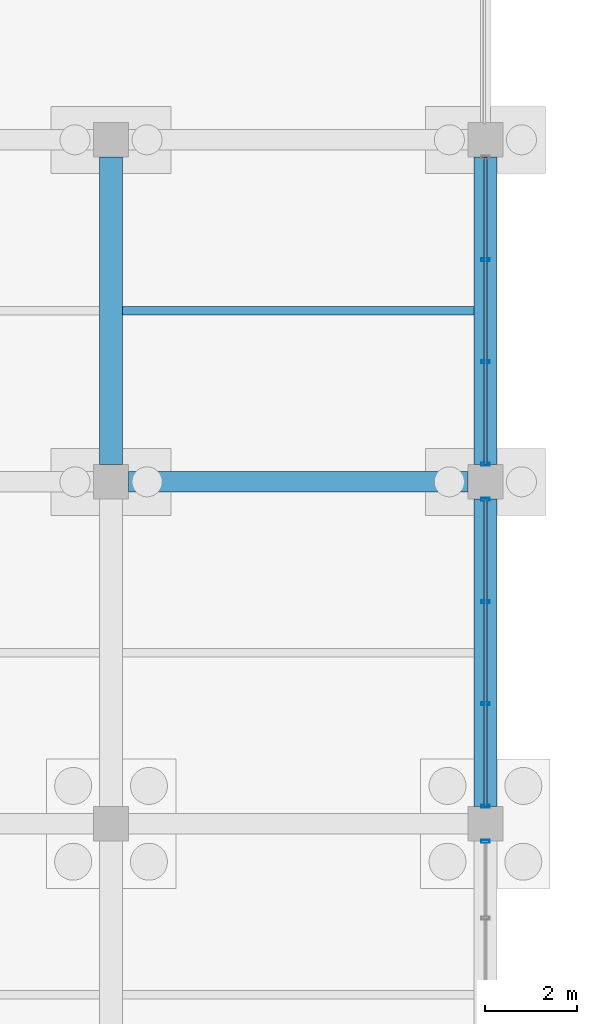
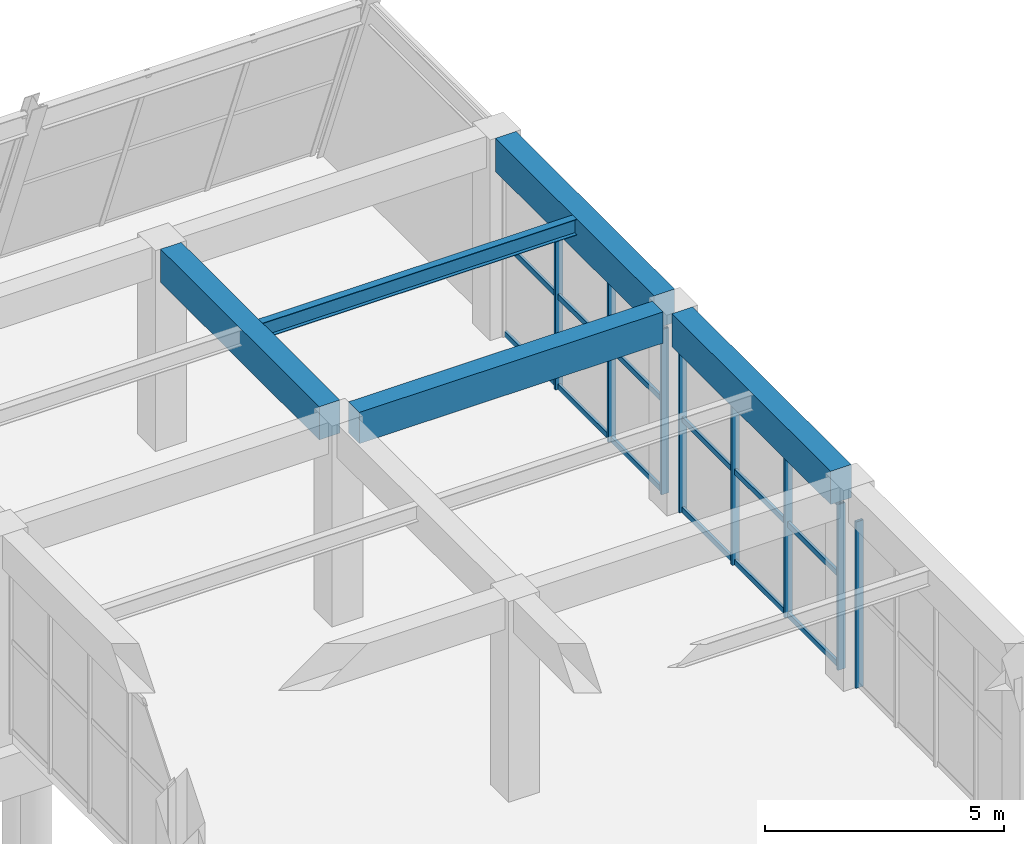
# One storey, part 68 of 140: 14 members, 5 beams, 3 elements without a shape of their own.
"""IFC4 building model written with IfcOpenShell, lengths in metres."""

from ifc_helpers import new_model, si_unit, direction, frame, origin, origin_2d, place, context, subcontext, project, spatial, rectangle, hollow_rectangle, i_section, extrude, material, material_profile, profile_set, type_object, element, aggregate, save


model = new_model("IFC4")

# Units and contexts
model_context = context("Model", 3, precision=1e-05, world=origin(), true_north=direction((0.0, 1.0)))
body_context = subcontext(model_context, "Body", "Model", "MODEL_VIEW")
ifc_project = project(units=[si_unit("LENGTHUNIT", "METRE"), si_unit("AREAUNIT", "SQUARE_METRE"), si_unit("VOLUMEUNIT", "CUBIC_METRE"), si_unit("PLANEANGLEUNIT", "RADIAN"), si_unit("MASSUNIT", "GRAM", prefix="KILO")], contexts=[model_context])

# Site, building, storey
site_placement = place(None, origin())
site = spatial("IfcSite", under=ifc_project, at=site_placement, CompositionType="ELEMENT")
building_placement = place(site_placement, origin())
building = spatial("IfcBuilding", under=site, at=building_placement, Name="Cimatlan Art Gallery", CompositionType="ELEMENT")
storey_placement = place(building_placement, origin())
storey = spatial("IfcBuildingStorey", under=building, at=storey_placement, Name="L00", CompositionType="ELEMENT", Elevation=0.0)

# Beams
ifc_material_1 = material(Name="Concrete C40/50", Category="concrete")
ifc_material_profile_1 = material_profile(ifc_material_1, rectangle(XDim=0.449951171875, YDim=0.800048828125, at=origin_2d()), Name="RC450X800")
ifc_profile_set_1 = profile_set([ifc_material_profile_1], Name="Concrete C40/50")
beam_type_1 = type_object("IfcBeamType", Name="BM-RC-450X800", PredefinedType="BEAM", material=ifc_profile_set_1)
beam_1_placement = place(storey_placement, frame((42.875, 90.5, 4.735107421875), z_axis=(1.0, 0.0, 0.0), x_axis=(0.0, 1.0, 0.0)))
element("IfcBeam", 1, at=beam_1_placement, inside=storey, type_object=beam_type_1, Name="BM-X-L00-05-12", PredefinedType="BEAM", context=body_context, shape_type="SweptSolid", body=[
    extrude(rectangle(XDim=0.449951171875, YDim=0.800048828125, at=origin_2d()), origin(), (0.0, 0.0, 1.0), 7.35009765625),
])
ifc_material_profile_2 = material_profile(ifc_material_1, rectangle(XDim=0.5, YDim=0.85009765625, at=origin_2d()), Name="RC500X850")
ifc_profile_set_2 = profile_set([ifc_material_profile_2], Name="Concrete C40/50")
beam_type_2 = type_object("IfcBeamType", Name="BM-RC-500X850", PredefinedType="BEAM", material=ifc_profile_set_2)
for number, where, z_axis, x_axis, name in (
    (2, (42.5, 90.875, 4.7099609375), (0.0, 1.0, 0.0), (-1.0, 0.0, 0.0), "BM-Y-L00-05-12"),
    (3, (50.60009765625, 83.47509765625, 4.7099609375), (0.0, 1.0, 0.0), (-1.0, 0.0, 0.0), "BM-Y-L00-06-11"),
    (4, (50.60009765625, 90.875, 4.7099609375), (0.0, 1.0, 0.0), (-1.0, 0.0, 0.0), "BM-Y-L00-06-12"),
):
    element("IfcBeam", number, at=place(storey_placement, frame(where, z_axis=z_axis, x_axis=x_axis)), inside=storey, type_object=beam_type_2, Name=name, PredefinedType="BEAM", context=body_context, shape_type="SweptSolid", body=[
        extrude(rectangle(XDim=0.5, YDim=0.85009765625, at=origin_2d()), origin(), (0.0, 0.0, 1.0), 6.64990234375),
    ])
ifc_material_2 = material(Name="Steel ASTM A992 Grade 50", Category="steel")
ifc_material_profile_3 = material_profile(ifc_material_2, i_section(OverallWidth=0.177978515625, OverallDepth=0.406982421875, WebThickness=0.0078125, FlangeThickness=0.0126953125, at=origin_2d()), Name="W16X40")
ifc_profile_set_3 = profile_set([ifc_material_profile_3], Name="Steel ASTM A992 Grade 50")
beam_type_3 = type_object("IfcBeamType", Name="BM-STL-W16X40", PredefinedType="JOIST", material=ifc_profile_set_3)
beam_2_placement = place(storey_placement, frame((42.75, 94.199951171875, 4.931396484375), z_axis=(1.0, 0.0, 0.0), x_axis=(0.0, 1.0, 0.0)))
element("IfcBeam", 5, at=beam_2_placement, inside=storey, type_object=beam_type_3, Name="JST-L00-05-12", PredefinedType="JOIST", context=body_context, shape_type="SweptSolid", body=[
    extrude(i_section(OverallWidth=0.177978515625, OverallDepth=0.406982421875, WebThickness=0.0078125, FlangeThickness=0.0126953125, at=origin_2d()), origin(), (0.0, 0.0, 1.0), 7.60009765625),
])

# Curtain wall, member
ifc_material_3 = material(Name="Anodised bronze unitised curtain wall")
curtain_wall_type_1 = type_object("IfcCurtainWallType", Name="CW-V-06642X04255-B4", PredefinedType="NOTDEFINED", material=ifc_material_3)
curtain_wall_1_placement = place(storey_placement, origin())
curtain_wall_1 = element("IfcCurtainWall", 6, at=curtain_wall_1_placement, inside=storey, type_object=curtain_wall_type_1, Name="CW-L00-05-10-E", PredefinedType="NOTDEFINED")
ifc_material_4 = material(Name="Anodised bronze aluminium 6063-T6", Category="aluminium")
ifc_material_profile_4 = material_profile(ifc_material_4, hollow_rectangle(XDim=0.06494140625, YDim=0.179931640625, WallThickness=0.00390625, at=origin_2d()), Name="ALU65X180X4")
ifc_profile_set_4 = profile_set([ifc_material_profile_4], Name="Anodised bronze aluminium 6063-T6")
member_type_1 = type_object("IfcMemberType", Name="CW-MUL-180", PredefinedType="MULLION", material=ifc_profile_set_4)
member_1_placement = place(storey_placement, frame((50.60009765625, 82.720947265625, 0.0), z_axis=(0.0, 0.0, 1.0), x_axis=(0.0, 1.0, 0.0)))
member_1 = element("IfcMember", 7, at=member_1_placement, type_object=member_type_1, Name="CW-L00-05-10-E-M1", PredefinedType="MULLION", context=body_context, shape_type="SweptSolid", body=[
    extrude(hollow_rectangle(XDim=0.06494140625, YDim=0.179931640625, WallThickness=0.00390625, at=origin_2d()), origin(), (0.0, 0.0, 1.0), 4.2548828125),
])
aggregate(curtain_wall_1, [member_1])

# Curtain wall, members
curtain_wall_type_2 = type_object("IfcCurtainWallType", Name="CW-V-06642X04240-B3", PredefinedType="NOTDEFINED", material=ifc_material_3)
curtain_wall_2_placement = place(storey_placement, origin())
curtain_wall_2 = element("IfcCurtainWall", 8, at=curtain_wall_2_placement, inside=storey, type_object=curtain_wall_type_2, Name="CW-L00-05-11-E", PredefinedType="NOTDEFINED")
member_2_placement = place(storey_placement, frame((50.60009765625, 90.12109375, 0.0), z_axis=(0.0, 0.0, 1.0), x_axis=(0.0, 1.0, 0.0)))
member_2 = element("IfcMember", 9, at=member_2_placement, type_object=member_type_1, Name="CW-L00-05-11-E-M1", PredefinedType="MULLION", context=body_context, shape_type="SweptSolid", body=[
    extrude(hollow_rectangle(XDim=0.06494140625, YDim=0.179931640625, WallThickness=0.00390625, at=origin_2d()), origin(), (0.0, 0.0, 1.0), 4.239990234375),
])
member_3_placement = place(storey_placement, frame((50.60009765625, 87.906982421875, 0.0), z_axis=(0.0, 0.0, 1.0), x_axis=(0.0, 1.0, 0.0)))
member_3 = element("IfcMember", 10, at=member_3_placement, type_object=member_type_1, Name="CW-L00-05-11-E-M2", PredefinedType="MULLION", context=body_context, shape_type="SweptSolid", body=[
    extrude(hollow_rectangle(XDim=0.06494140625, YDim=0.179931640625, WallThickness=0.00390625, at=origin_2d()), origin(), (0.0, 0.0, 1.0), 4.239990234375),
])
member_4_placement = place(storey_placement, frame((50.60009765625, 85.693115234375, 0.0), z_axis=(0.0, 0.0, 1.0), x_axis=(0.0, 1.0, 0.0)))
member_4 = element("IfcMember", 11, at=member_4_placement, type_object=member_type_1, Name="CW-L00-05-11-E-M3", PredefinedType="MULLION", context=body_context, shape_type="SweptSolid", body=[
    extrude(hollow_rectangle(XDim=0.06494140625, YDim=0.179931640625, WallThickness=0.00390625, at=origin_2d()), origin(), (0.0, 0.0, 1.0), 4.239990234375),
])
member_5_placement = place(storey_placement, frame((50.60009765625, 83.47900390625, 0.0), z_axis=(0.0, 0.0, 1.0), x_axis=(0.0, 1.0, 0.0)))
member_5 = element("IfcMember", 12, at=member_5_placement, type_object=member_type_1, Name="CW-L00-05-11-E-M4", PredefinedType="MULLION", context=body_context, shape_type="SweptSolid", body=[
    extrude(hollow_rectangle(XDim=0.06494140625, YDim=0.179931640625, WallThickness=0.00390625, at=origin_2d()), origin(), (0.0, 0.0, 1.0), 4.239990234375),
])

curtain_wall_type_3 = type_object("IfcCurtainWallType", Name="CW-V-06642X04225-B3", PredefinedType="NOTDEFINED", material=ifc_material_3)
curtain_wall_3_placement = place(storey_placement, origin())
curtain_wall_3 = element("IfcCurtainWall", 13, at=curtain_wall_3_placement, inside=storey, type_object=curtain_wall_type_3, Name="CW-L00-05-12-E", PredefinedType="NOTDEFINED")
member_6_placement = place(storey_placement, frame((50.60009765625, 95.306884765625, 0.0), z_axis=(0.0, 0.0, 1.0), x_axis=(0.0, 1.0, 0.0)))
member_6 = element("IfcMember", 14, at=member_6_placement, type_object=member_type_1, Name="CW-L00-05-12-E-M2", PredefinedType="MULLION", context=body_context, shape_type="SweptSolid", body=[
    extrude(hollow_rectangle(XDim=0.06494140625, YDim=0.179931640625, WallThickness=0.00390625, at=origin_2d()), origin(), (0.0, 0.0, 1.0), 4.22509765625),
])
member_7_placement = place(storey_placement, frame((50.60009765625, 93.093017578125, 0.0), z_axis=(0.0, 0.0, 1.0), x_axis=(0.0, 1.0, 0.0)))
member_7 = element("IfcMember", 15, at=member_7_placement, type_object=member_type_1, Name="CW-L00-05-12-E-M3", PredefinedType="MULLION", context=body_context, shape_type="SweptSolid", body=[
    extrude(hollow_rectangle(XDim=0.06494140625, YDim=0.179931640625, WallThickness=0.00390625, at=origin_2d()), origin(), (0.0, 0.0, 1.0), 4.22509765625),
])
member_8_placement = place(storey_placement, frame((50.60009765625, 90.87890625, 0.0), z_axis=(0.0, 0.0, 1.0), x_axis=(0.0, 1.0, 0.0)))
member_8 = element("IfcMember", 16, at=member_8_placement, type_object=member_type_1, Name="CW-L00-05-12-E-M4", PredefinedType="MULLION", context=body_context, shape_type="SweptSolid", body=[
    extrude(hollow_rectangle(XDim=0.06494140625, YDim=0.179931640625, WallThickness=0.00390625, at=origin_2d()), origin(), (0.0, 0.0, 1.0), 4.22509765625),
])

# Member
ifc_material_profile_5 = material_profile(ifc_material_4, hollow_rectangle(XDim=0.06494140625, YDim=0.139892578125, WallThickness=0.00390625, at=origin_2d()), Name="ALU65X140X4")
ifc_profile_set_5 = profile_set([ifc_material_profile_5], Name="Anodised bronze aluminium 6063-T6")
member_type_2 = type_object("IfcMemberType", Name="CW-TRN-140", PredefinedType="USERDEFINED", material=ifc_profile_set_5)
member_9_placement = place(storey_placement, frame((50.60009765625, 90.12109375, 0.06005859375), z_axis=(0.0, -1.0, 0.0), x_axis=(1.0, 0.0, 0.0)))
member_9 = element("IfcMember", 17, at=member_9_placement, type_object=member_type_2, Name="CW-L00-05-11-E-T1", ObjectType="TRANSOM", PredefinedType="USERDEFINED", context=body_context, shape_type="SweptSolid", body=[
    extrude(hollow_rectangle(XDim=0.06494140625, YDim=0.139892578125, WallThickness=0.00390625, at=origin_2d()), origin(), (0.0, 0.0, 1.0), 6.64208984375),
])

member_10_placement = place(storey_placement, frame((50.60009765625, 90.12109375, 2.37451171875), z_axis=(0.0, -1.0, 0.0), x_axis=(1.0, 0.0, 0.0)))
member_10 = element("IfcMember", 18, at=member_10_placement, type_object=member_type_2, Name="CW-L00-05-11-E-T2", ObjectType="TRANSOM", PredefinedType="USERDEFINED", context=body_context, shape_type="SweptSolid", body=[
    extrude(hollow_rectangle(XDim=0.06494140625, YDim=0.139892578125, WallThickness=0.00390625, at=origin_2d()), origin(), (0.0, 0.0, 1.0), 6.64208984375),
])

member_11_placement = place(storey_placement, frame((50.60009765625, 90.12109375, 4.179931640625), z_axis=(0.0, -1.0, 0.0), x_axis=(1.0, 0.0, 0.0)))
member_11 = element("IfcMember", 19, at=member_11_placement, type_object=member_type_2, Name="CW-L00-05-11-E-T3", ObjectType="TRANSOM", PredefinedType="USERDEFINED", context=body_context, shape_type="SweptSolid", body=[
    extrude(hollow_rectangle(XDim=0.06494140625, YDim=0.139892578125, WallThickness=0.00390625, at=origin_2d()), origin(), (0.0, 0.0, 1.0), 6.64208984375),
])

aggregate(curtain_wall_2, [member_2, member_3, member_4, member_5, member_9, member_10, member_11])

member_12_placement = place(storey_placement, frame((50.60009765625, 97.52099609375, 0.06005859375), z_axis=(0.0, -1.0, 0.0), x_axis=(1.0, 0.0, 0.0)))
member_12 = element("IfcMember", 20, at=member_12_placement, type_object=member_type_2, Name="CW-L00-05-12-E-T1", ObjectType="TRANSOM", PredefinedType="USERDEFINED", context=body_context, shape_type="SweptSolid", body=[
    extrude(hollow_rectangle(XDim=0.06494140625, YDim=0.139892578125, WallThickness=0.00390625, at=origin_2d()), origin(), (0.0, 0.0, 1.0), 6.64208984375),
])

member_13_placement = place(storey_placement, frame((50.60009765625, 97.52099609375, 2.365966796875), z_axis=(0.0, -1.0, 0.0), x_axis=(1.0, 0.0, 0.0)))
member_13 = element("IfcMember", 21, at=member_13_placement, type_object=member_type_2, Name="CW-L00-05-12-E-T2", ObjectType="TRANSOM", PredefinedType="USERDEFINED", context=body_context, shape_type="SweptSolid", body=[
    extrude(hollow_rectangle(XDim=0.06494140625, YDim=0.139892578125, WallThickness=0.00390625, at=origin_2d()), origin(), (0.0, 0.0, 1.0), 6.64208984375),
])

member_14_placement = place(storey_placement, frame((50.60009765625, 97.52099609375, 4.1650390625), z_axis=(0.0, -1.0, 0.0), x_axis=(1.0, 0.0, 0.0)))
member_14 = element("IfcMember", 22, at=member_14_placement, type_object=member_type_2, Name="CW-L00-05-12-E-T3", ObjectType="TRANSOM", PredefinedType="USERDEFINED", context=body_context, shape_type="SweptSolid", body=[
    extrude(hollow_rectangle(XDim=0.06494140625, YDim=0.139892578125, WallThickness=0.00390625, at=origin_2d()), origin(), (0.0, 0.0, 1.0), 6.64208984375),
])

aggregate(curtain_wall_3, [member_6, member_7, member_8, member_12, member_13, member_14])

save(model, "model.ifc")
